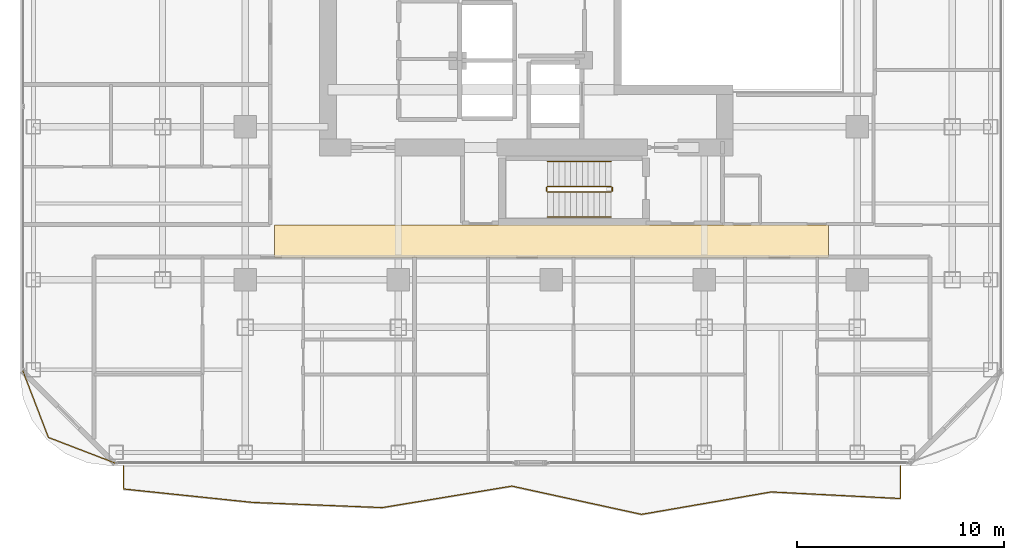
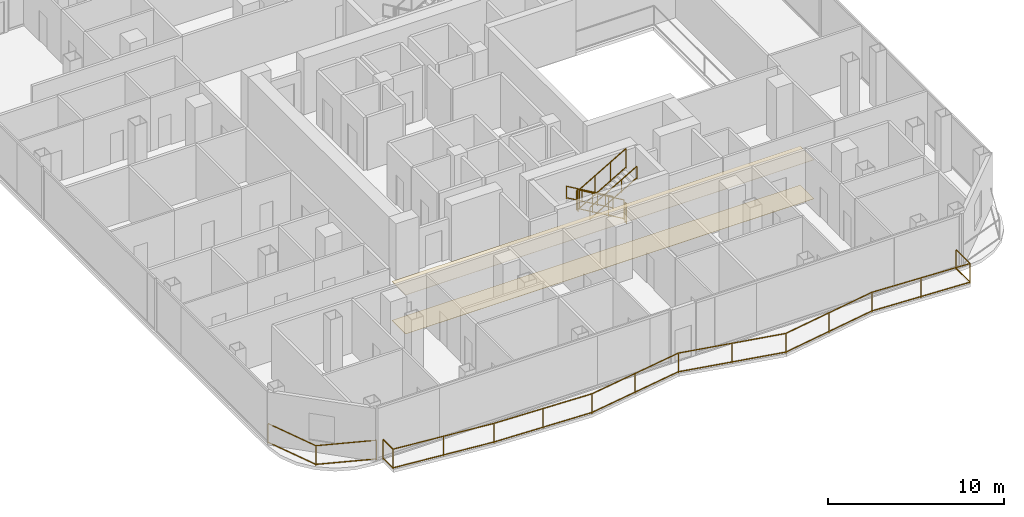
# One storey, part 24 of 26: 8 railings, 2 coverings.
"""IFC4 building model written with IfcOpenShell, lengths in metres."""

from ifc_helpers import new_model, si_unit, direction, frame, origin, origin_2d, place, context, subcontext, project, spatial, polyline, rectangle, outline, extrude, material, layer, layer_set, type_object, element, save


model = new_model("IFC4")

# Units and contexts
model_context = context("Model", 3, precision=1e-05, world=origin(), true_north=direction((0.0, 1.0)))
body_context = subcontext(model_context, "Body", "Model", "MODEL_VIEW")
ifc_project = project(units=[si_unit("LENGTHUNIT", "METRE"), si_unit("AREAUNIT", "SQUARE_METRE"), si_unit("VOLUMEUNIT", "CUBIC_METRE"), si_unit("PLANEANGLEUNIT", "RADIAN"), si_unit("MASSUNIT", "GRAM", prefix="KILO")], contexts=[model_context])

# Site, building, storey
site_placement = place(None, origin())
site = spatial("IfcSite", under=ifc_project, at=site_placement, CompositionType="ELEMENT")
building_placement = place(site_placement, origin())
building = spatial("IfcBuilding", under=site, at=building_placement, Name="Khorvyn Point Tower", CompositionType="ELEMENT")
storey_placement = place(building_placement, frame((0.0, 0.0, 183.60009765625)))
storey = spatial("IfcBuildingStorey", under=building, at=storey_placement, Name="L45", CompositionType="ELEMENT", Elevation=183.60009765625)

# Railings
ifc_material_1 = material(Name="Anodised aluminium 6063-T6 and laminated safety glass", Category="aluminium")
railing_type_1 = type_object("IfcRailingType", Name="Laminated Glass and Aluminium Balcony Guardrail 1400", PredefinedType="BALUSTRADE", material=ifc_material_1)
railing_1_placement = place(storey_placement, frame((-25.57421875, -19.176025390625, 0.0)))
element("IfcRailing", 1, at=railing_1_placement, inside=storey, type_object=railing_type_1, Name="L45 Rounded Corner Edge Guardrail SW", PredefinedType="BALUSTRADE", context=body_context, shape_type="SweptSolid", body=[
    extrude(rectangle(XDim=0.048095703125, YDim=0.048095703125, at=origin_2d()), frame((0.0, 0.0, 1.3759765625), z_axis=(0.358382264808, -0.933574931257, 0.0), x_axis=(0.933574931257, 0.358382264808, 0.0)), (0.0, 0.0, 1.0), 3.481689453125),
    extrude(rectangle(XDim=0.048095703125, YDim=0.048095703125, at=origin_2d()), frame((0.0, 0.0, 0.080078125), z_axis=(0.358382264808, -0.933574931257, 0.0), x_axis=(0.933574931257, 0.358382264808, 0.0)), (0.0, 0.0, 1.0), 3.481689453125),
    extrude(rectangle(XDim=0.048095703125, YDim=0.048095703125, at=origin_2d()), frame((1.247802734375, -3.25048828125, 1.3759765625), z_axis=(0.933598390295, -0.358321148746, 0.0), x_axis=(0.358321148746, 0.933598390295, 0.0)), (0.0, 0.0, 1.0), 3.481689453125),
    extrude(rectangle(XDim=0.048095703125, YDim=0.048095703125, at=origin_2d()), frame((1.247802734375, -3.25048828125, 0.080078125), z_axis=(0.933598390295, -0.358321148746, 0.0), x_axis=(0.358321148746, 0.933598390295, 0.0)), (0.0, 0.0, 1.0), 3.481689453125),
    extrude(rectangle(XDim=0.0419921875, YDim=0.0419921875, at=origin_2d()), origin(), (0.0, 0.0, 1.0), 1.351806640625),
    extrude(rectangle(XDim=0.0419921875, YDim=0.0419921875, at=origin_2d()), frame((1.247802734375, -3.25048828125, 0.0)), (0.0, 0.0, 1.0), 1.351806640625),
    extrude(rectangle(XDim=0.0419921875, YDim=0.0419921875, at=origin_2d()), frame((4.498291015625, -4.498046875, 0.0)), (0.0, 0.0, 1.0), 1.351806640625),
])
railing_2_placement = place(storey_placement, frame((-20.699951171875, -23.800048828125, 0.0)))
element("IfcRailing", 2, at=railing_2_placement, inside=storey, type_object=railing_type_1, Name="L45 South Balcony Guardrail", PredefinedType="BALUSTRADE", context=body_context, shape_type="SweptSolid", body=[
    extrude(rectangle(XDim=0.048095703125, YDim=0.048095703125, at=origin_2d()), frame((0.0, 0.0, 1.3759765625), z_axis=(0.0, -1.0, 0.0), x_axis=(1.0, 0.0, 0.0)), (0.0, 0.0, 1.0), 1.11865234375),
    extrude(rectangle(XDim=0.048095703125, YDim=0.048095703125, at=origin_2d()), frame((0.0, 0.0, 0.080078125), z_axis=(0.0, -1.0, 0.0), x_axis=(1.0, 0.0, 0.0)), (0.0, 0.0, 1.0), 1.11865234375),
    extrude(rectangle(XDim=0.048095703125, YDim=0.048095703125, at=origin_2d()), frame((0.0, -1.11865234375, 1.3759765625), z_axis=(0.99462938435, -0.103500665638, 0.0), x_axis=(0.103500665638, 0.99462938435, 0.0)), (0.0, 0.0, 1.0), 6.300537109375),
    extrude(rectangle(XDim=0.048095703125, YDim=0.048095703125, at=origin_2d()), frame((0.0, -1.11865234375, 0.080078125), z_axis=(0.99462938435, -0.103500665638, 0.0), x_axis=(0.103500665638, 0.99462938435, 0.0)), (0.0, 0.0, 1.0), 6.300537109375),
    extrude(rectangle(XDim=0.048095703125, YDim=0.048095703125, at=origin_2d()), frame((6.2666015625, -1.770751953125, 1.3759765625), z_axis=(0.999209826541, -0.039745723582, 0.0), x_axis=(0.039745723582, 0.999209826541, 0.0)), (0.0, 0.0, 1.0), 6.271484375),
    extrude(rectangle(XDim=0.048095703125, YDim=0.048095703125, at=origin_2d()), frame((6.2666015625, -1.770751953125, 0.080078125), z_axis=(0.999209826541, -0.039745723582, 0.0), x_axis=(0.039745723582, 0.999209826541, 0.0)), (0.0, 0.0, 1.0), 6.271484375),
    extrude(rectangle(XDim=0.048095703125, YDim=0.048095703125, at=origin_2d()), frame((12.533203125, -2.02001953125, 1.3759765625), z_axis=(0.986525523457, 0.163607431273, 0.0), x_axis=(-0.163607431273, 0.986525523457, 0.0)), (0.0, 0.0, 1.0), 6.3525390625),
    extrude(rectangle(XDim=0.048095703125, YDim=0.048095703125, at=origin_2d()), frame((12.533203125, -2.02001953125, 0.080078125), z_axis=(0.986525523457, 0.163607431273, 0.0), x_axis=(-0.163607431273, 0.986525523457, 0.0)), (0.0, 0.0, 1.0), 6.3525390625),
    extrude(rectangle(XDim=0.048095703125, YDim=0.048095703125, at=origin_2d()), frame((18.800048828125, -0.980712890625, 1.3759765625), z_axis=(0.977049765943, -0.213011161377, 0.0), x_axis=(0.213011161377, 0.977049765943, 0.0)), (0.0, 0.0, 1.0), 6.413818359375),
    extrude(rectangle(XDim=0.048095703125, YDim=0.048095703125, at=origin_2d()), frame((18.800048828125, -0.980712890625, 0.080078125), z_axis=(0.977049765943, -0.213011161377, 0.0), x_axis=(0.213011161377, 0.977049765943, 0.0)), (0.0, 0.0, 1.0), 6.413818359375),
    extrude(rectangle(XDim=0.048095703125, YDim=0.048095703125, at=origin_2d()), frame((25.066650390625, -2.346923828125, 1.3759765625), z_axis=(0.985353979217, 0.170521364177, 0.0), x_axis=(-0.170521364177, 0.985353979217, 0.0)), (0.0, 0.0, 1.0), 6.35986328125),
    extrude(rectangle(XDim=0.048095703125, YDim=0.048095703125, at=origin_2d()), frame((25.066650390625, -2.346923828125, 0.080078125), z_axis=(0.985353979217, 0.170521364177, 0.0), x_axis=(-0.170521364177, 0.985353979217, 0.0)), (0.0, 0.0, 1.0), 6.35986328125),
    extrude(rectangle(XDim=0.048095703125, YDim=0.048095703125, at=origin_2d()), frame((31.333251953125, -1.262451171875, 1.3759765625), z_axis=(0.998706121207, -0.050853549183, 0.0), x_axis=(0.050853549183, 0.998706121207, 0.0)), (0.0, 0.0, 1.0), 6.274658203125),
    extrude(rectangle(XDim=0.048095703125, YDim=0.048095703125, at=origin_2d()), frame((31.333251953125, -1.262451171875, 0.080078125), z_axis=(0.998706121207, -0.050853549183, 0.0), x_axis=(0.050853549183, 0.998706121207, 0.0)), (0.0, 0.0, 1.0), 6.274658203125),
    extrude(rectangle(XDim=0.048095703125, YDim=0.048095703125, at=origin_2d()), frame((37.599853515625, -1.58154296875, 1.3759765625), z_axis=(0.0, 1.0, 0.0), x_axis=(-1.0, 0.0, 0.0)), (0.0, 0.0, 1.0), 1.58154296875),
    extrude(rectangle(XDim=0.048095703125, YDim=0.048095703125, at=origin_2d()), frame((37.599853515625, -1.58154296875, 0.080078125), z_axis=(0.0, 1.0, 0.0), x_axis=(-1.0, 0.0, 0.0)), (0.0, 0.0, 1.0), 1.58154296875),
    extrude(rectangle(XDim=0.0419921875, YDim=0.0419921875, at=origin_2d()), origin(), (0.0, 0.0, 1.0), 1.351806640625),
    extrude(rectangle(XDim=0.0419921875, YDim=0.0419921875, at=origin_2d()), frame((0.0, -1.11865234375, 0.0)), (0.0, 0.0, 1.0), 1.351806640625),
    extrude(rectangle(XDim=0.0419921875, YDim=0.0419921875, at=origin_2d()), frame((3.13330078125, -1.44482421875, 0.0)), (0.0, 0.0, 1.0), 1.351806640625),
    extrude(rectangle(XDim=0.0419921875, YDim=0.0419921875, at=origin_2d()), frame((6.2666015625, -1.770751953125, 0.0)), (0.0, 0.0, 1.0), 1.351806640625),
    extrude(rectangle(XDim=0.0419921875, YDim=0.0419921875, at=origin_2d()), frame((9.39990234375, -1.8955078125, 0.0)), (0.0, 0.0, 1.0), 1.351806640625),
    extrude(rectangle(XDim=0.0419921875, YDim=0.0419921875, at=origin_2d()), frame((12.533203125, -2.02001953125, 0.0)), (0.0, 0.0, 1.0), 1.351806640625),
    extrude(rectangle(XDim=0.0419921875, YDim=0.0419921875, at=origin_2d()), frame((15.66650390625, -1.50048828125, 0.0)), (0.0, 0.0, 1.0), 1.351806640625),
    extrude(rectangle(XDim=0.0419921875, YDim=0.0419921875, at=origin_2d()), frame((18.800048828125, -0.980712890625, 0.0)), (0.0, 0.0, 1.0), 1.351806640625),
    extrude(rectangle(XDim=0.0419921875, YDim=0.0419921875, at=origin_2d()), frame((21.933349609375, -1.663818359375, 0.0)), (0.0, 0.0, 1.0), 1.351806640625),
    extrude(rectangle(XDim=0.0419921875, YDim=0.0419921875, at=origin_2d()), frame((25.066650390625, -2.346923828125, 0.0)), (0.0, 0.0, 1.0), 1.351806640625),
    extrude(rectangle(XDim=0.0419921875, YDim=0.0419921875, at=origin_2d()), frame((28.199951171875, -1.8046875, 0.0)), (0.0, 0.0, 1.0), 1.351806640625),
    extrude(rectangle(XDim=0.0419921875, YDim=0.0419921875, at=origin_2d()), frame((31.333251953125, -1.262451171875, 0.0)), (0.0, 0.0, 1.0), 1.351806640625),
    extrude(rectangle(XDim=0.0419921875, YDim=0.0419921875, at=origin_2d()), frame((34.466552734375, -1.421875, 0.0)), (0.0, 0.0, 1.0), 1.351806640625),
    extrude(rectangle(XDim=0.0419921875, YDim=0.0419921875, at=origin_2d()), frame((37.599853515625, -1.58154296875, 0.0)), (0.0, 0.0, 1.0), 1.351806640625),
    extrude(rectangle(XDim=0.0419921875, YDim=0.0419921875, at=origin_2d()), frame((37.599853515625, 0.0, 0.0)), (0.0, 0.0, 1.0), 1.351806640625),
])

# Coverings
ifc_material_2 = material(Name="Mineral-fibre acoustic ceiling board", Category="gypsum")
ifc_layer_1 = layer(ifc_material_2, 0.02001953125)
ifc_layer_set_1 = layer_set([ifc_layer_1], Name="Perforated Mineral-Fibre Acoustic Suspended Ceiling 20")
covering_type_1 = type_object("IfcCoveringType", Name="Perforated Mineral-Fibre Acoustic Suspended Ceiling 20", PredefinedType="CEILING", material=ifc_layer_set_1)
covering_1_placement = place(storey_placement, frame((0.0, 0.0, 2.699951171875)))
element("IfcCovering", 3, at=covering_1_placement, inside=storey, type_object=covering_type_1, Name="L45 South Corridor Acoustic Ceiling", PredefinedType="CEILING", context=body_context, shape_type="SweptSolid", body=[
    extrude(outline(polyline([(-13.39990234375, -13.7099609375), (13.39990234375, -13.7099609375), (13.39990234375, -12.139892578125), (-13.39990234375, -12.139892578125), (-13.39990234375, -13.7099609375)])), origin(), (0.0, 0.0, 1.0), 0.02001953125),
])
ifc_material_3 = material(Name="Vitrified porcelain terrazzo tile", Category="ceramic")
ifc_layer_2 = layer(ifc_material_3, 0.01806640625)
ifc_layer_set_2 = layer_set([ifc_layer_2], Name="Porcelain Terrazzo Corridor Floor Finish Tile 18")
covering_type_2 = type_object("IfcCoveringType", Name="Porcelain Terrazzo Corridor Floor Finish Tile 18", PredefinedType="FLOORING", material=ifc_layer_set_2)
covering_2_placement = place(storey_placement, origin())
element("IfcCovering", 4, at=covering_2_placement, inside=storey, type_object=covering_type_2, Name="L45 South Corridor Terrazzo Flooring", PredefinedType="FLOORING", context=body_context, shape_type="SweptSolid", body=[
    extrude(outline(polyline([(-13.39990234375, -13.7099609375), (13.39990234375, -13.7099609375), (13.39990234375, -12.139892578125), (-13.39990234375, -12.139892578125), (-13.39990234375, -13.7099609375)])), origin(), (0.0, 0.0, 1.0), 0.017822265625),
])

# Railings
ifc_material_4 = material(Name="Stainless steel 1.4301", Category="steel")
railing_type_2 = type_object("IfcRailingType", Name="Stainless Steel 304 Stair Pitch Handrail 900", PredefinedType="HANDRAIL", material=ifc_material_4)
railing_3_placement = place(storey_placement, frame((2.89990234375, -9.070068359375, 0.162353515625)))
element("IfcRailing", 5, at=railing_3_placement, inside=storey, type_object=railing_type_2, Name="L45 ST-01 stair handrail 1", PredefinedType="HANDRAIL", context=body_context, shape_type="SweptSolid", body=[
    extrude(rectangle(XDim=0.048095703125, YDim=0.048095703125, at=origin_2d()), frame((0.0, 0.0, 0.8759765625), z_axis=(-0.864873446163, 0.0, 0.501989962173), x_axis=(0.0, -1.0, 0.0)), (0.0, 0.0, 1.0), 3.56103515625),
    extrude(rectangle(XDim=0.048095703125, YDim=0.048095703125, at=origin_2d()), frame((0.0, 0.0, 0.080078125), z_axis=(-0.864873446163, 0.0, 0.501989962173), x_axis=(0.0, -1.0, 0.0)), (0.0, 0.0, 1.0), 3.56103515625),
    extrude(rectangle(XDim=0.0419921875, YDim=0.0419921875, at=origin_2d()), origin(), (0.0, 0.0, 1.0), 0.851806640625),
    extrude(rectangle(XDim=0.0419921875, YDim=0.0419921875, at=origin_2d()), frame((-1.026611328125, 0.0, 0.595947265625)), (0.0, 0.0, 1.0), 0.851806640625),
    extrude(rectangle(XDim=0.0419921875, YDim=0.0419921875, at=origin_2d()), frame((-2.05322265625, 0.0, 1.191650390625)), (0.0, 0.0, 1.0), 0.851806640625),
    extrude(rectangle(XDim=0.0419921875, YDim=0.0419921875, at=origin_2d()), frame((-3.079833984375, 0.0, 1.78759765625)), (0.0, 0.0, 1.0), 0.851806640625),
])
railing_4_placement = place(storey_placement, frame((-0.179931640625, -11.77001953125, 2.1123046875)))
element("IfcRailing", 6, at=railing_4_placement, inside=storey, type_object=railing_type_2, Name="L45 ST-01 stair handrail 2", PredefinedType="HANDRAIL", context=body_context, shape_type="SweptSolid", body=[
    extrude(rectangle(XDim=0.048095703125, YDim=0.048095703125, at=origin_2d()), frame((0.0, 0.0, 0.8759765625), z_axis=(0.864873446163, 0.0, 0.501989962173), x_axis=(0.0, 1.0, 0.0)), (0.0, 0.0, 1.0), 3.56103515625),
    extrude(rectangle(XDim=0.048095703125, YDim=0.048095703125, at=origin_2d()), frame((0.0, 0.0, 0.080078125), z_axis=(0.864873446163, 0.0, 0.501989962173), x_axis=(0.0, 1.0, 0.0)), (0.0, 0.0, 1.0), 3.56103515625),
    extrude(rectangle(XDim=0.0419921875, YDim=0.0419921875, at=origin_2d()), origin(), (0.0, 0.0, 1.0), 0.851806640625),
    extrude(rectangle(XDim=0.0419921875, YDim=0.0419921875, at=origin_2d()), frame((1.026611328125, 0.0, 0.595947265625)), (0.0, 0.0, 1.0), 0.851806640625),
    extrude(rectangle(XDim=0.0419921875, YDim=0.0419921875, at=origin_2d()), frame((2.05322265625, 0.0, 1.191650390625)), (0.0, 0.0, 1.0), 0.851806640625),
    extrude(rectangle(XDim=0.0419921875, YDim=0.0419921875, at=origin_2d()), frame((3.079833984375, 0.0, 1.78759765625)), (0.0, 0.0, 1.0), 0.851806640625),
])
railing_type_3 = type_object("IfcRailingType", Name="Stainless Steel 304 Stair Well Guardrail 1400", PredefinedType="GUARDRAIL", material=ifc_material_4)
railing_5_placement = place(storey_placement, frame((2.89990234375, -10.2900390625, 0.162353515625)))
element("IfcRailing", 7, at=railing_5_placement, inside=storey, type_object=railing_type_3, Name="L45 ST-01 stair guard 1", PredefinedType="GUARDRAIL", context=body_context, shape_type="SweptSolid", body=[
    extrude(rectangle(XDim=0.048095703125, YDim=0.048095703125, at=origin_2d()), frame((0.0, 0.0, 1.3759765625), z_axis=(-0.864873446163, 0.0, 0.501989962173), x_axis=(0.0, -1.0, 0.0)), (0.0, 0.0, 1.0), 3.56103515625),
    extrude(rectangle(XDim=0.048095703125, YDim=0.048095703125, at=origin_2d()), frame((0.0, 0.0, 0.080078125), z_axis=(-0.864873446163, 0.0, 0.501989962173), x_axis=(0.0, -1.0, 0.0)), (0.0, 0.0, 1.0), 3.56103515625),
    extrude(rectangle(XDim=0.0419921875, YDim=0.0419921875, at=origin_2d()), origin(), (0.0, 0.0, 1.0), 1.351806640625),
    extrude(rectangle(XDim=0.0419921875, YDim=0.0419921875, at=origin_2d()), frame((-1.026611328125, 0.0, 0.595947265625)), (0.0, 0.0, 1.0), 1.351806640625),
    extrude(rectangle(XDim=0.0419921875, YDim=0.0419921875, at=origin_2d()), frame((-2.05322265625, 0.0, 1.191650390625)), (0.0, 0.0, 1.0), 1.351806640625),
    extrude(rectangle(XDim=0.0419921875, YDim=0.0419921875, at=origin_2d()), frame((-3.079833984375, 0.0, 1.78759765625)), (0.0, 0.0, 1.0), 1.351806640625),
])
railing_6_placement = place(storey_placement, frame((-0.22998046875, -10.340087890625, 1.949951171875)))
element("IfcRailing", 8, at=railing_6_placement, inside=storey, type_object=railing_type_3, Name="L45 ST-01 stair guard 2", PredefinedType="GUARDRAIL", context=body_context, shape_type="SweptSolid", body=[
    extrude(rectangle(XDim=0.048095703125, YDim=0.048095703125, at=origin_2d()), frame((0.0, 0.0, 1.3759765625), z_axis=(0.0, -1.0, 0.0), x_axis=(1.0, 0.0, 0.0)), (0.0, 0.0, 1.0), 0.159912109375),
    extrude(rectangle(XDim=0.048095703125, YDim=0.048095703125, at=origin_2d()), frame((0.0, 0.0, 0.080078125), z_axis=(0.0, -1.0, 0.0), x_axis=(1.0, 0.0, 0.0)), (0.0, 0.0, 1.0), 0.159912109375),
    extrude(rectangle(XDim=0.0419921875, YDim=0.0419921875, at=origin_2d()), origin(), (0.0, 0.0, 1.0), 1.351806640625),
    extrude(rectangle(XDim=0.0419921875, YDim=0.0419921875, at=origin_2d()), frame((0.0, -0.159912109375, 0.0)), (0.0, 0.0, 1.0), 1.351806640625),
])
railing_7_placement = place(storey_placement, frame((-0.179931640625, -10.550048828125, 2.1123046875)))
element("IfcRailing", 9, at=railing_7_placement, inside=storey, type_object=railing_type_3, Name="L45 ST-01 stair guard 3", PredefinedType="GUARDRAIL", context=body_context, shape_type="SweptSolid", body=[
    extrude(rectangle(XDim=0.048095703125, YDim=0.048095703125, at=origin_2d()), frame((0.0, 0.0, 1.3759765625), z_axis=(0.864873446163, 0.0, 0.501989962173), x_axis=(0.0, 1.0, 0.0)), (0.0, 0.0, 1.0), 3.56103515625),
    extrude(rectangle(XDim=0.048095703125, YDim=0.048095703125, at=origin_2d()), frame((0.0, 0.0, 0.080078125), z_axis=(0.864873446163, 0.0, 0.501989962173), x_axis=(0.0, 1.0, 0.0)), (0.0, 0.0, 1.0), 3.56103515625),
    extrude(rectangle(XDim=0.0419921875, YDim=0.0419921875, at=origin_2d()), origin(), (0.0, 0.0, 1.0), 1.351806640625),
    extrude(rectangle(XDim=0.0419921875, YDim=0.0419921875, at=origin_2d()), frame((1.026611328125, 0.0, 0.595947265625)), (0.0, 0.0, 1.0), 1.351806640625),
    extrude(rectangle(XDim=0.0419921875, YDim=0.0419921875, at=origin_2d()), frame((2.05322265625, 0.0, 1.191650390625)), (0.0, 0.0, 1.0), 1.351806640625),
    extrude(rectangle(XDim=0.0419921875, YDim=0.0419921875, at=origin_2d()), frame((3.079833984375, 0.0, 1.78759765625)), (0.0, 0.0, 1.0), 1.351806640625),
])
railing_8_placement = place(storey_placement, frame((2.949951171875, -10.340087890625, 0.0)))
element("IfcRailing", 10, at=railing_8_placement, inside=storey, type_object=railing_type_3, Name="L45 ST-01 stair guard 4", PredefinedType="GUARDRAIL", context=body_context, shape_type="SweptSolid", body=[
    extrude(rectangle(XDim=0.048095703125, YDim=0.048095703125, at=origin_2d()), frame((0.0, 0.0, 1.3759765625), z_axis=(0.0, -1.0, 0.0), x_axis=(1.0, 0.0, 0.0)), (0.0, 0.0, 1.0), 0.159912109375),
    extrude(rectangle(XDim=0.048095703125, YDim=0.048095703125, at=origin_2d()), frame((0.0, 0.0, 0.080078125), z_axis=(0.0, -1.0, 0.0), x_axis=(1.0, 0.0, 0.0)), (0.0, 0.0, 1.0), 0.159912109375),
    extrude(rectangle(XDim=0.0419921875, YDim=0.0419921875, at=origin_2d()), origin(), (0.0, 0.0, 1.0), 1.351806640625),
    extrude(rectangle(XDim=0.0419921875, YDim=0.0419921875, at=origin_2d()), frame((0.0, -0.159912109375, 0.0)), (0.0, 0.0, 1.0), 1.351806640625),
])

save(model, "model.ifc")
